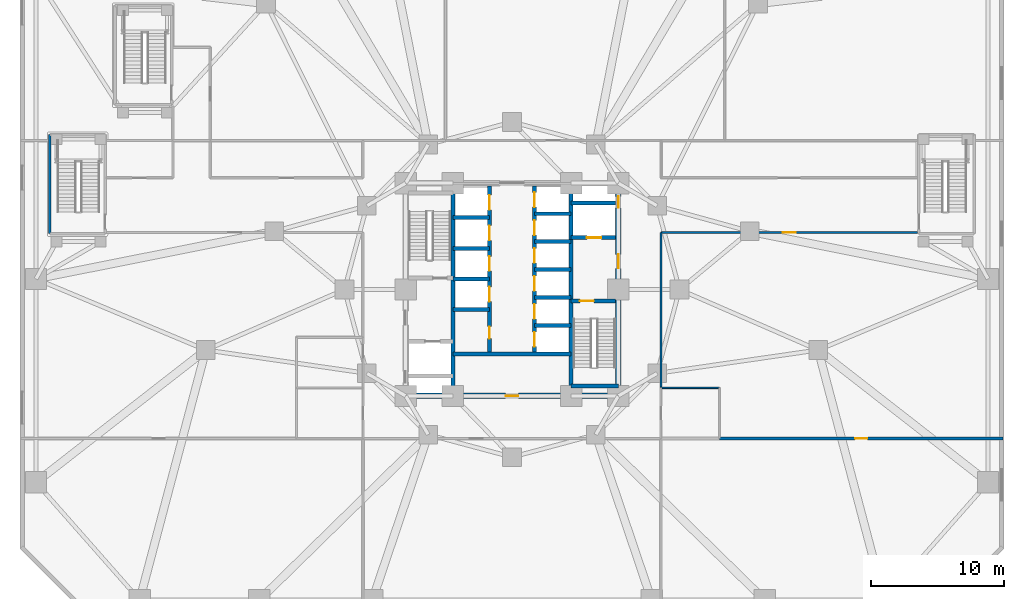
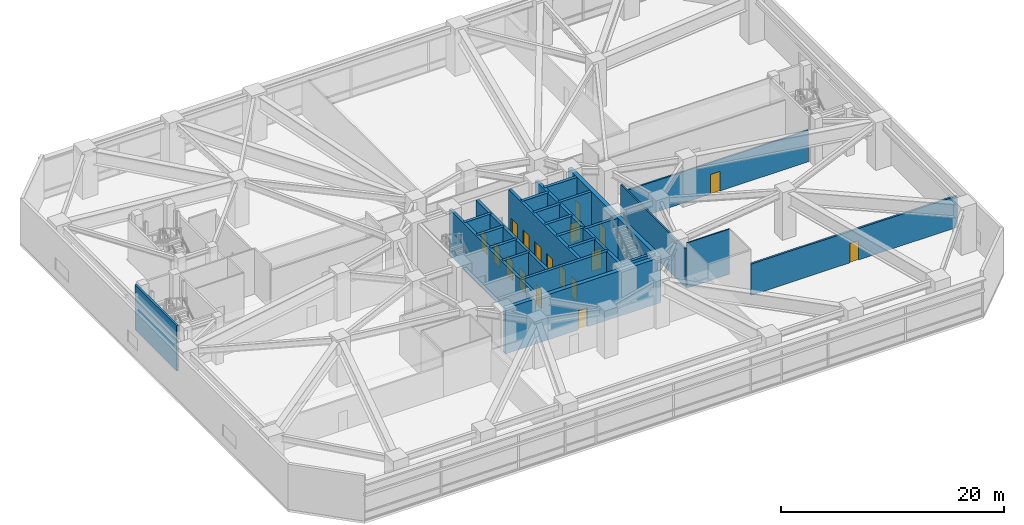
# One storey, part 16 of 27: 25 walls, 18 doors, 18 openings.
"""IFC4 building model written with IfcOpenShell, lengths in metres."""

from ifc_helpers import new_model, si_unit, direction, frame, frame_2d, origin, place, context, subcontext, project, spatial, rectangle, extrude, material, layer, layer_set, type_object, element, fill, save


model = new_model("IFC4")

# Units and contexts
model_context = context("Model", 3, precision=1e-05, world=origin(), true_north=direction((0.0, 1.0)))
body_context = subcontext(model_context, "Body", "Model", "MODEL_VIEW")
ifc_project = project(units=[si_unit("LENGTHUNIT", "METRE"), si_unit("AREAUNIT", "SQUARE_METRE"), si_unit("VOLUMEUNIT", "CUBIC_METRE"), si_unit("PLANEANGLEUNIT", "RADIAN"), si_unit("MASSUNIT", "GRAM", prefix="KILO")], contexts=[model_context])

# Site, building, storey
site_placement = place(None, origin())
site = spatial("IfcSite", under=ifc_project, at=site_placement, CompositionType="ELEMENT")
building_placement = place(site_placement, origin())
building = spatial("IfcBuilding", under=site, at=building_placement, Name="Terralouvre Media Tower", CompositionType="ELEMENT")
storey_placement = place(building_placement, frame((0.0, 0.0, 5.199951171875)))
storey = spatial("IfcBuildingStorey", under=building, at=storey_placement, Name="L01", CompositionType="ELEMENT", Elevation=5.199951171875)

# Walls
ifc_material_1 = material(Name="Concrete C50/60", Category="concrete")
ifc_layer_1 = layer(ifc_material_1, 0.300048828125, Name="Core Internal Shaft Wall CW-300")
ifc_layer_set_1 = layer_set([ifc_layer_1], Name="Concrete C50/60")
wall_type_1 = type_object("IfcWallType", Name="Core Internal Shaft Wall CW-300", PredefinedType="SHEAR", material=ifc_layer_set_1)
for number, where, z_axis, x_axis, name in (
    (1, (-4.449951171875, -7.7900390625, 0.0), (0.0, 0.0, 1.0), (0.0, 1.0, 0.0), "L01 Core Shaft Wall SPW"),
    (2, (4.449951171875, -7.7900390625, 0.0), (0.0, 0.0, 1.0), (0.0, 1.0, 0.0), "L01 Core Shaft Wall SPE"),
):
    element("IfcWall", number, at=place(storey_placement, frame(where, z_axis=z_axis, x_axis=x_axis)), inside=storey, type_object=wall_type_1, Name=name, PredefinedType="SHEAR", context=body_context, shape_type="SweptSolid", body=[
        extrude(rectangle(XDim=15.580078125, YDim=0.300048828125, at=frame_2d((7.7900390625, 0.0))), origin(), (0.0, 0.0, 1.0), 4.949951171875),
    ])

# Wall, opening, door
wall_1_placement = place(storey_placement, frame((4.449951171875, -0.85009765625, 0.0), z_axis=(0.0, 0.0, 1.0), x_axis=(1.0, 0.0, 0.0)))
wall_1 = element("IfcWall", 3, at=wall_1_placement, inside=storey, type_object=wall_type_1, Name="L01 Core Shaft Wall ST2D", PredefinedType="SHEAR", context=body_context, shape_type="SweptSolid", body=[
    extrude(rectangle(XDim=3.340087890625, YDim=0.300048828125, at=frame_2d((1.669921875, 0.0))), origin(), (0.0, 0.0, 1.0), 4.949951171875),
])
opening_1_placement = place(wall_1_placement, frame((0.64990234375, 0.0, 0.0)))
opening_1 = element("IfcOpeningElement", 4, at=opening_1_placement, cuts=wall_1, Name="Opening FD-01-105X215", PredefinedType="OPENING", context=body_context, shape_type="SweptSolid", body=[
    extrude(rectangle(XDim=1.050048828125, YDim=2.14990234375, at=frame_2d((0.52490234375, 1.074951171875))), frame((0.0, 0.159912109375, 0.0), z_axis=(0.0, -1.0, 0.0), x_axis=(1.0, 0.0, 0.0)), (0.0, 0.0, 1.0), 0.320068359375),
])
ifc_material_2 = material(Name="Galvanised steel fire-resisting leaf", Category="steel")
door_type_1 = type_object("IfcDoorType", Name="Stair and Firefighting Lobby Fire Door FD-01 (1050x2150)", OperationType="NOTDEFINED", PredefinedType="DOOR", material=ifc_material_2)
door_1_placement = place(opening_1_placement, origin())
door_1 = element("IfcDoor", 5, at=door_1_placement, inside=storey, type_object=door_type_1, Name="L01 ST-02 Exit Stair Door", OperationType="SINGLE_SWING_RIGHT", OverallHeight=2.14990234375, OverallWidth=1.050048828125, PredefinedType="DOOR", context=body_context, shape_type="SweptSolid", body=[
    extrude(rectangle(XDim=1.050048828125, YDim=2.14990234375, at=frame_2d((0.52490234375, 1.074951171875))), frame((0.0, 0.02490234375, 0.0), z_axis=(0.0, -1.0, 0.0), x_axis=(1.0, 0.0, 0.0)), (0.0, 0.0, 1.0), 0.050048828125),
])
fill(opening_1, door_1)

# Wall
wall_2_placement = place(storey_placement, frame((4.449951171875, -7.260009765625, 0.0), z_axis=(0.0, 0.0, 1.0), x_axis=(1.0, 0.0, 0.0)))
element("IfcWall", 6, at=wall_2_placement, inside=storey, type_object=wall_type_1, Name="L01 Core Shaft Wall ST2F", PredefinedType="SHEAR", context=body_context, shape_type="SweptSolid", body=[
    extrude(rectangle(XDim=3.550048828125, YDim=0.300048828125, at=frame_2d((1.77490234375, 0.0))), origin(), (0.0, 0.0, 1.0), 4.949951171875),
])

# Wall, opening, door
wall_3_placement = place(storey_placement, frame((4.449951171875, 3.89990234375, 0.0), z_axis=(0.0, 0.0, 1.0), x_axis=(1.0, 0.0, 0.0)))
wall_3 = element("IfcWall", 7, at=wall_3_placement, inside=storey, type_object=wall_type_1, Name="L01 Core Shaft Wall FF2S", PredefinedType="SHEAR", context=body_context, shape_type="SweptSolid", body=[
    extrude(rectangle(XDim=3.340087890625, YDim=0.300048828125, at=frame_2d((1.669921875, 0.0))), origin(), (0.0, 0.0, 1.0), 4.949951171875),
])
opening_2_placement = place(wall_3_placement, frame((1.179931640625, 0.0, 0.0)))
opening_2 = element("IfcOpeningElement", 8, at=opening_2_placement, cuts=wall_3, Name="Opening LD-FF", PredefinedType="OPENING", context=body_context, shape_type="SweptSolid", body=[
    extrude(rectangle(XDim=1.10009765625, YDim=2.10009765625, at=frame_2d((0.550048828125, 1.050048828125))), frame((0.0, 0.159912109375, 0.0), z_axis=(0.0, -1.0, 0.0), x_axis=(1.0, 0.0, 0.0)), (0.0, 0.0, 1.0), 0.320068359375),
])
ifc_material_3 = material(Name="Stainless steel 316 handrail and balustrade", Category="steel")
door_type_2 = type_object("IfcDoorType", Name="Firefighting Lift Sliding Landing Door LD-FF", OperationType="SLIDING_TO_LEFT", PredefinedType="DOOR", material=ifc_material_3)
door_2_placement = place(opening_2_placement, origin())
door_2 = element("IfcDoor", 9, at=door_2_placement, inside=storey, type_object=door_type_2, Name="L01 Firefighting Lift FFL-02 Landing Door", OperationType="SLIDING_TO_LEFT", OverallHeight=2.10009765625, OverallWidth=1.10009765625, PredefinedType="DOOR", context=body_context, shape_type="SweptSolid", body=[
    extrude(rectangle(XDim=1.10009765625, YDim=2.10009765625, at=frame_2d((0.550048828125, 1.050048828125))), frame((0.0, 0.02490234375, 0.0), z_axis=(0.0, -1.0, 0.0), x_axis=(1.0, 0.0, 0.0)), (0.0, 0.0, 1.0), 0.050048828125),
])
fill(opening_2, door_2)

# Walls
wall_4_placement = place(storey_placement, frame((4.449951171875, 6.5, 0.0), z_axis=(0.0, 0.0, 1.0), x_axis=(1.0, 0.0, 0.0)))
element("IfcWall", 10, at=wall_4_placement, inside=storey, type_object=wall_type_1, Name="L01 Core Shaft Wall FF2N", PredefinedType="SHEAR", context=body_context, shape_type="SweptSolid", body=[
    extrude(rectangle(XDim=3.340087890625, YDim=0.300048828125, at=frame_2d((1.669921875, 0.0))), origin(), (0.0, 0.0, 1.0), 4.949951171875),
])
wall_5_placement = place(storey_placement, frame((-4.449951171875, -4.85009765625, 0.0), z_axis=(0.0, 0.0, 1.0), x_axis=(1.0, 0.0, 0.0)))
element("IfcWall", 11, at=wall_5_placement, inside=storey, type_object=wall_type_1, Name="L01 Core Shaft Wall CSBN", PredefinedType="SHEAR", context=body_context, shape_type="SweptSolid", body=[
    extrude(rectangle(XDim=8.89990234375, YDim=0.300048828125, at=frame_2d((4.449951171875, 0.0))), origin(), (0.0, 0.0, 1.0), 4.949951171875),
])

# Wall, openings, doors
wall_6_placement = place(storey_placement, frame((-1.679931640625, -4.85009765625, 0.0), z_axis=(0.0, 0.0, 1.0), x_axis=(0.0, 1.0, 0.0)))
wall_6 = element("IfcWall", 12, at=wall_6_placement, inside=storey, type_object=wall_type_1, Name="L01 Core Shaft Wall LBW", PredefinedType="SHEAR", context=body_context, shape_type="SweptSolid", body=[
    extrude(rectangle(XDim=12.64013671875, YDim=0.300048828125, at=frame_2d((6.320068359375, 0.0))), origin(), (0.0, 0.0, 1.0), 4.949951171875),
])
opening_3_placement = place(wall_6_placement, frame((3.949951171875, 0.0, 0.0)))
opening_3 = element("IfcOpeningElement", 13, at=opening_3_placement, cuts=wall_6, Name="Opening LD-PL", PredefinedType="OPENING", context=body_context, shape_type="SweptSolid", body=[
    extrude(rectangle(XDim=1.10009765625, YDim=2.10009765625, at=frame_2d((0.550048828125, 1.050048828125))), frame((0.0, 0.159912109375, 0.0), z_axis=(0.0, -1.0, 0.0), x_axis=(1.0, 0.0, 0.0)), (0.0, 0.0, 1.0), 0.320068359375),
])
opening_4_placement = place(wall_6_placement, frame((6.25, 0.0, 0.0)))
opening_4 = element("IfcOpeningElement", 14, at=opening_4_placement, cuts=wall_6, Name="Opening LD-PL", PredefinedType="OPENING", context=body_context, shape_type="SweptSolid", body=[
    extrude(rectangle(XDim=1.10009765625, YDim=2.10009765625, at=frame_2d((0.550048828125, 1.050048828125))), frame((0.0, 0.159912109375, 0.0), z_axis=(0.0, -1.0, 0.0), x_axis=(1.0, 0.0, 0.0)), (0.0, 0.0, 1.0), 0.320068359375),
])
opening_5_placement = place(wall_6_placement, frame((8.550048828125, 0.0, 0.0)))
opening_5 = element("IfcOpeningElement", 15, at=opening_5_placement, cuts=wall_6, Name="Opening LD-PL", PredefinedType="OPENING", context=body_context, shape_type="SweptSolid", body=[
    extrude(rectangle(XDim=1.10009765625, YDim=2.10009765625, at=frame_2d((0.550048828125, 1.050048828125))), frame((0.0, 0.159912109375, 0.0), z_axis=(0.0, -1.0, 0.0), x_axis=(1.0, 0.0, 0.0)), (0.0, 0.0, 1.0), 0.320068359375),
])
opening_6_placement = place(wall_6_placement, frame((10.85009765625, 0.0, 0.0)))
opening_6 = element("IfcOpeningElement", 16, at=opening_6_placement, cuts=wall_6, Name="Opening LD-PL", PredefinedType="OPENING", context=body_context, shape_type="SweptSolid", body=[
    extrude(rectangle(XDim=1.10009765625, YDim=2.10009765625, at=frame_2d((0.550048828125, 1.050048828125))), frame((0.0, 0.159912109375, 0.0), z_axis=(0.0, -1.0, 0.0), x_axis=(1.0, 0.0, 0.0)), (0.0, 0.0, 1.0), 0.320068359375),
])
opening_7_placement = place(wall_6_placement, frame((1.14990234375, 0.0, 0.0)))
opening_7 = element("IfcOpeningElement", 17, at=opening_7_placement, cuts=wall_6, Name="Opening FD-05-92X210", PredefinedType="OPENING", context=body_context, shape_type="SweptSolid", body=[
    extrude(rectangle(XDim=0.919921875, YDim=2.10009765625, at=frame_2d((0.4599609375, 1.050048828125))), frame((0.0, 0.159912109375, 0.0), z_axis=(0.0, -1.0, 0.0), x_axis=(1.0, 0.0, 0.0)), (0.0, 0.0, 1.0), 0.320068359375),
])
ifc_material_4 = material(Name="Galvanised steel fire-resisting leaf", Category="steel")
door_type_3 = type_object("IfcDoorType", Name="Core Accessible Closet Fire Door FD-05 (920x2100)", OperationType="NOTDEFINED", PredefinedType="DOOR", material=ifc_material_4)
door_3_placement = place(opening_7_placement, origin())
door_3 = element("IfcDoor", 18, at=door_3_placement, inside=storey, type_object=door_type_3, Name="L01 Core Cleaners Closet Door", OperationType="SINGLE_SWING_LEFT", OverallHeight=2.10009765625, OverallWidth=0.919921875, PredefinedType="DOOR", context=body_context, shape_type="SweptSolid", body=[
    extrude(rectangle(XDim=0.919921875, YDim=2.10009765625, at=frame_2d((0.4599609375, 1.050048828125))), frame((0.0, 0.02490234375, 0.0), z_axis=(0.0, -1.0, 0.0), x_axis=(1.0, 0.0, 0.0)), (0.0, 0.0, 1.0), 0.050048828125),
])
fill(opening_7, door_3)
ifc_material_5 = material(Name="Stainless steel 316 handrail and balustrade", Category="steel")
door_type_4 = type_object("IfcDoorType", Name="Passenger Lift Sliding Landing Door LD-PL", OperationType="SLIDING_TO_LEFT", PredefinedType="DOOR", material=ifc_material_5)
door_4_placement = place(opening_3_placement, origin())
door_4 = element("IfcDoor", 19, at=door_4_placement, inside=storey, type_object=door_type_4, Name="L01 Low-Rise Lift PL-L1 Landing Door", OperationType="SLIDING_TO_LEFT", OverallHeight=2.10009765625, OverallWidth=1.10009765625, PredefinedType="DOOR", context=body_context, shape_type="SweptSolid", body=[
    extrude(rectangle(XDim=1.10009765625, YDim=2.10009765625, at=frame_2d((0.550048828125, 1.050048828125))), frame((0.0, 0.02490234375, 0.0), z_axis=(0.0, -1.0, 0.0), x_axis=(1.0, 0.0, 0.0)), (0.0, 0.0, 1.0), 0.050048828125),
])
fill(opening_3, door_4)
door_5_placement = place(opening_4_placement, origin())
door_5 = element("IfcDoor", 20, at=door_5_placement, inside=storey, type_object=door_type_4, Name="L01 Low-Rise Lift PL-L2 Landing Door", OperationType="SLIDING_TO_LEFT", OverallHeight=2.10009765625, OverallWidth=1.10009765625, PredefinedType="DOOR", context=body_context, shape_type="SweptSolid", body=[
    extrude(rectangle(XDim=1.10009765625, YDim=2.10009765625, at=frame_2d((0.550048828125, 1.050048828125))), frame((0.0, 0.02490234375, 0.0), z_axis=(0.0, -1.0, 0.0), x_axis=(1.0, 0.0, 0.0)), (0.0, 0.0, 1.0), 0.050048828125),
])
fill(opening_4, door_5)
door_6_placement = place(opening_5_placement, origin())
door_6 = element("IfcDoor", 21, at=door_6_placement, inside=storey, type_object=door_type_4, Name="L01 Low-Rise Lift PL-L3 Landing Door", OperationType="SLIDING_TO_LEFT", OverallHeight=2.10009765625, OverallWidth=1.10009765625, PredefinedType="DOOR", context=body_context, shape_type="SweptSolid", body=[
    extrude(rectangle(XDim=1.10009765625, YDim=2.10009765625, at=frame_2d((0.550048828125, 1.050048828125))), frame((0.0, 0.02490234375, 0.0), z_axis=(0.0, -1.0, 0.0), x_axis=(1.0, 0.0, 0.0)), (0.0, 0.0, 1.0), 0.050048828125),
])
fill(opening_5, door_6)
door_7_placement = place(opening_6_placement, origin())
door_7 = element("IfcDoor", 22, at=door_7_placement, inside=storey, type_object=door_type_4, Name="L01 Low-Rise Lift PL-L4 Landing Door", OperationType="SLIDING_TO_LEFT", OverallHeight=2.10009765625, OverallWidth=1.10009765625, PredefinedType="DOOR", context=body_context, shape_type="SweptSolid", body=[
    extrude(rectangle(XDim=1.10009765625, YDim=2.10009765625, at=frame_2d((0.550048828125, 1.050048828125))), frame((0.0, 0.02490234375, 0.0), z_axis=(0.0, -1.0, 0.0), x_axis=(1.0, 0.0, 0.0)), (0.0, 0.0, 1.0), 0.050048828125),
])
fill(opening_6, door_7)

wall_7_placement = place(storey_placement, frame((1.679931640625, -4.85009765625, 0.0), z_axis=(0.0, 0.0, 1.0), x_axis=(0.0, 1.0, 0.0)))
wall_7 = element("IfcWall", 23, at=wall_7_placement, inside=storey, type_object=wall_type_1, Name="L01 Core Shaft Wall LBE", PredefinedType="SHEAR", context=body_context, shape_type="SweptSolid", body=[
    extrude(rectangle(XDim=12.64013671875, YDim=0.300048828125, at=frame_2d((6.320068359375, 0.0))), origin(), (0.0, 0.0, 1.0), 4.949951171875),
])
opening_8_placement = place(wall_7_placement, frame((0.550048828125, 0.0, 0.0)))
opening_8 = element("IfcOpeningElement", 24, at=opening_8_placement, cuts=wall_7, Name="Opening LD-PL", PredefinedType="OPENING", context=body_context, shape_type="SweptSolid", body=[
    extrude(rectangle(XDim=1.10009765625, YDim=2.10009765625, at=frame_2d((0.550048828125, 1.050048828125))), frame((0.0, 0.159912109375, 0.0), z_axis=(0.0, -1.0, 0.0), x_axis=(1.0, 0.0, 0.0)), (0.0, 0.0, 1.0), 0.320068359375),
])
opening_9_placement = place(wall_7_placement, frame((2.64990234375, 0.0, 0.0)))
opening_9 = element("IfcOpeningElement", 25, at=opening_9_placement, cuts=wall_7, Name="Opening LD-PL", PredefinedType="OPENING", context=body_context, shape_type="SweptSolid", body=[
    extrude(rectangle(XDim=1.10009765625, YDim=2.10009765625, at=frame_2d((0.550048828125, 1.050048828125))), frame((0.0, 0.159912109375, 0.0), z_axis=(0.0, -1.0, 0.0), x_axis=(1.0, 0.0, 0.0)), (0.0, 0.0, 1.0), 0.320068359375),
])
opening_10_placement = place(wall_7_placement, frame((4.75, 0.0, 0.0)))
opening_10 = element("IfcOpeningElement", 26, at=opening_10_placement, cuts=wall_7, Name="Opening LD-PL", PredefinedType="OPENING", context=body_context, shape_type="SweptSolid", body=[
    extrude(rectangle(XDim=1.10009765625, YDim=2.10009765625, at=frame_2d((0.550048828125, 1.050048828125))), frame((0.0, 0.159912109375, 0.0), z_axis=(0.0, -1.0, 0.0), x_axis=(1.0, 0.0, 0.0)), (0.0, 0.0, 1.0), 0.320068359375),
])
opening_11_placement = place(wall_7_placement, frame((6.85009765625, 0.0, 0.0)))
opening_11 = element("IfcOpeningElement", 27, at=opening_11_placement, cuts=wall_7, Name="Opening LD-PL", PredefinedType="OPENING", context=body_context, shape_type="SweptSolid", body=[
    extrude(rectangle(XDim=1.10009765625, YDim=2.10009765625, at=frame_2d((0.550048828125, 1.050048828125))), frame((0.0, 0.159912109375, 0.0), z_axis=(0.0, -1.0, 0.0), x_axis=(1.0, 0.0, 0.0)), (0.0, 0.0, 1.0), 0.320068359375),
])
opening_12_placement = place(wall_7_placement, frame((8.949951171875, 0.0, 0.0)))
opening_12 = element("IfcOpeningElement", 28, at=opening_12_placement, cuts=wall_7, Name="Opening LD-PL", PredefinedType="OPENING", context=body_context, shape_type="SweptSolid", body=[
    extrude(rectangle(XDim=1.10009765625, YDim=2.10009765625, at=frame_2d((0.550048828125, 1.050048828125))), frame((0.0, 0.159912109375, 0.0), z_axis=(0.0, -1.0, 0.0), x_axis=(1.0, 0.0, 0.0)), (0.0, 0.0, 1.0), 0.320068359375),
])
opening_13_placement = place(wall_7_placement, frame((11.050048828125, 0.0, 0.0)))
opening_13 = element("IfcOpeningElement", 29, at=opening_13_placement, cuts=wall_7, Name="Opening LD-PL", PredefinedType="OPENING", context=body_context, shape_type="SweptSolid", body=[
    extrude(rectangle(XDim=1.10009765625, YDim=2.10009765625, at=frame_2d((0.550048828125, 1.050048828125))), frame((0.0, 0.159912109375, 0.0), z_axis=(0.0, -1.0, 0.0), x_axis=(1.0, 0.0, 0.0)), (0.0, 0.0, 1.0), 0.320068359375),
])
door_8_placement = place(opening_8_placement, origin())
door_8 = element("IfcDoor", 30, at=door_8_placement, inside=storey, type_object=door_type_4, Name="L01 High-Rise Lift PL-H1 Landing Door", OperationType="SLIDING_TO_LEFT", OverallHeight=2.10009765625, OverallWidth=1.10009765625, PredefinedType="DOOR", context=body_context, shape_type="SweptSolid", body=[
    extrude(rectangle(XDim=1.10009765625, YDim=2.10009765625, at=frame_2d((0.550048828125, 1.050048828125))), frame((0.0, 0.02490234375, 0.0), z_axis=(0.0, -1.0, 0.0), x_axis=(1.0, 0.0, 0.0)), (0.0, 0.0, 1.0), 0.050048828125),
])
fill(opening_8, door_8)
door_9_placement = place(opening_9_placement, origin())
door_9 = element("IfcDoor", 31, at=door_9_placement, inside=storey, type_object=door_type_4, Name="L01 High-Rise Lift PL-H2 Landing Door", OperationType="SLIDING_TO_LEFT", OverallHeight=2.10009765625, OverallWidth=1.10009765625, PredefinedType="DOOR", context=body_context, shape_type="SweptSolid", body=[
    extrude(rectangle(XDim=1.10009765625, YDim=2.10009765625, at=frame_2d((0.550048828125, 1.050048828125))), frame((0.0, 0.02490234375, 0.0), z_axis=(0.0, -1.0, 0.0), x_axis=(1.0, 0.0, 0.0)), (0.0, 0.0, 1.0), 0.050048828125),
])
fill(opening_9, door_9)
door_10_placement = place(opening_10_placement, origin())
door_10 = element("IfcDoor", 32, at=door_10_placement, inside=storey, type_object=door_type_4, Name="L01 High-Rise Lift PL-H3 Landing Door", OperationType="SLIDING_TO_LEFT", OverallHeight=2.10009765625, OverallWidth=1.10009765625, PredefinedType="DOOR", context=body_context, shape_type="SweptSolid", body=[
    extrude(rectangle(XDim=1.10009765625, YDim=2.10009765625, at=frame_2d((0.550048828125, 1.050048828125))), frame((0.0, 0.02490234375, 0.0), z_axis=(0.0, -1.0, 0.0), x_axis=(1.0, 0.0, 0.0)), (0.0, 0.0, 1.0), 0.050048828125),
])
fill(opening_10, door_10)
door_11_placement = place(opening_11_placement, origin())
door_11 = element("IfcDoor", 33, at=door_11_placement, inside=storey, type_object=door_type_4, Name="L01 Mid-Rise Lift PL-M1 Landing Door", OperationType="SLIDING_TO_LEFT", OverallHeight=2.10009765625, OverallWidth=1.10009765625, PredefinedType="DOOR", context=body_context, shape_type="SweptSolid", body=[
    extrude(rectangle(XDim=1.10009765625, YDim=2.10009765625, at=frame_2d((0.550048828125, 1.050048828125))), frame((0.0, 0.02490234375, 0.0), z_axis=(0.0, -1.0, 0.0), x_axis=(1.0, 0.0, 0.0)), (0.0, 0.0, 1.0), 0.050048828125),
])
fill(opening_11, door_11)
door_12_placement = place(opening_12_placement, origin())
door_12 = element("IfcDoor", 34, at=door_12_placement, inside=storey, type_object=door_type_4, Name="L01 Mid-Rise Lift PL-M2 Landing Door", OperationType="SLIDING_TO_LEFT", OverallHeight=2.10009765625, OverallWidth=1.10009765625, PredefinedType="DOOR", context=body_context, shape_type="SweptSolid", body=[
    extrude(rectangle(XDim=1.10009765625, YDim=2.10009765625, at=frame_2d((0.550048828125, 1.050048828125))), frame((0.0, 0.02490234375, 0.0), z_axis=(0.0, -1.0, 0.0), x_axis=(1.0, 0.0, 0.0)), (0.0, 0.0, 1.0), 0.050048828125),
])
fill(opening_12, door_12)
door_13_placement = place(opening_13_placement, origin())
door_13 = element("IfcDoor", 35, at=door_13_placement, inside=storey, type_object=door_type_4, Name="L01 Mid-Rise Lift PL-M3 Landing Door", OperationType="SLIDING_TO_LEFT", OverallHeight=2.10009765625, OverallWidth=1.10009765625, PredefinedType="DOOR", context=body_context, shape_type="SweptSolid", body=[
    extrude(rectangle(XDim=1.10009765625, YDim=2.10009765625, at=frame_2d((0.550048828125, 1.050048828125))), frame((0.0, 0.02490234375, 0.0), z_axis=(0.0, -1.0, 0.0), x_axis=(1.0, 0.0, 0.0)), (0.0, 0.0, 1.0), 0.050048828125),
])
fill(opening_13, door_13)

# Walls
for number, where, z_axis, x_axis, name in (
    (36, (-4.449951171875, -1.5, 0.0), (0.0, 0.0, 1.0), (1.0, 0.0, 0.0), "L01 Core Shaft Wall PLLD0"),
    (37, (-4.449951171875, 0.800048828125, 0.0), (0.0, 0.0, 1.0), (1.0, 0.0, 0.0), "L01 Core Shaft Wall PLLD1"),
    (38, (-4.449951171875, 3.10009765625, 0.0), (0.0, 0.0, 1.0), (1.0, 0.0, 0.0), "L01 Core Shaft Wall PLLD2"),
    (39, (-4.449951171875, 5.39990234375, 0.0), (0.0, 0.0, 1.0), (1.0, 0.0, 0.0), "L01 Core Shaft Wall PLLD3"),
    (40, (1.679931640625, 1.5, 0.0), (0.0, 0.0, 1.0), (1.0, 0.0, 0.0), "L01 Core Shaft Wall PLMD0"),
    (41, (1.679931640625, 3.60009765625, 0.0), (0.0, 0.0, 1.0), (1.0, 0.0, 0.0), "L01 Core Shaft Wall PLMD1"),
    (42, (1.679931640625, 5.699951171875, 0.0), (0.0, 0.0, 1.0), (1.0, 0.0, 0.0), "L01 Core Shaft Wall PLMD2"),
    (43, (1.679931640625, -2.699951171875, 0.0), (0.0, 0.0, 1.0), (1.0, 0.0, 0.0), "L01 Core Shaft Wall PLHD1"),
    (44, (1.679931640625, -0.60009765625, 0.0), (0.0, 0.0, 1.0), (1.0, 0.0, 0.0), "L01 Core Shaft Wall PLHD2"),
):
    element("IfcWall", number, at=place(storey_placement, frame(where, z_axis=z_axis, x_axis=x_axis)), inside=storey, type_object=wall_type_1, Name=name, PredefinedType="SHEAR", context=body_context, shape_type="SweptSolid", body=[
        extrude(rectangle(XDim=2.77001953125, YDim=0.300048828125, at=frame_2d((1.385009765625, 0.0))), origin(), (0.0, 0.0, 1.0), 4.949951171875),
    ])

# Wall, openings, doors
ifc_material_6 = material(Name="Concrete C60/75", Category="concrete")
ifc_layer_2 = layer(ifc_material_6, 0.419921875, Name="Core Reinforced Concrete Shear Wall CW-420")
ifc_layer_set_2 = layer_set([ifc_layer_2], Name="Concrete C60/75")
wall_type_2 = type_object("IfcWallType", Name="Core Reinforced Concrete Shear Wall CW-420", PredefinedType="SHEAR", material=ifc_layer_set_2)
wall_8_placement = place(storey_placement, frame((8.0, -8.0, 0.0), z_axis=(0.0, 0.0, 1.0), x_axis=(0.0, 1.0, 0.0)))
wall_8 = element("IfcWall", 45, at=wall_8_placement, inside=storey, type_object=wall_type_2, Name="L01 E Core Shear Wall", PredefinedType="SHEAR", context=body_context, shape_type="SweptSolid", body=[
    extrude(rectangle(XDim=16.0, YDim=0.419921875, at=frame_2d((8.0, 0.0))), origin(), (0.0, 0.0, 1.0), 4.949951171875),
])
opening_14_placement = place(wall_8_placement, frame((9.60009765625, 0.0, 0.0)))
opening_14 = element("IfcOpeningElement", 46, at=opening_14_placement, cuts=wall_8, Name="Opening FD-01-105X215", PredefinedType="OPENING", context=body_context, shape_type="SweptSolid", body=[
    extrude(rectangle(XDim=1.050048828125, YDim=2.14990234375, at=frame_2d((0.52490234375, 1.074951171875))), frame((0.0, 0.219970703125, 0.0), z_axis=(0.0, -1.0, 0.0), x_axis=(1.0, 0.0, 0.0)), (0.0, 0.0, 1.0), 0.43994140625),
])
opening_15_placement = place(wall_8_placement, frame((14.148193359375, 0.0, 0.0)))
opening_15 = element("IfcOpeningElement", 47, at=opening_15_placement, cuts=wall_8, Name="Opening TD-R1", PredefinedType="OPENING", context=body_context, shape_type="SweptSolid", body=[
    extrude(rectangle(XDim=0.85009765625, YDim=2.02001953125, at=frame_2d((0.425048828125, 1.010009765625))), frame((0.0, 0.219970703125, 0.0), z_axis=(0.0, -1.0, 0.0), x_axis=(1.0, 0.0, 0.0)), (0.0, 0.0, 1.0), 0.43994140625),
])
ifc_material_7 = material(Name="Galvanised steel fire-resisting leaf", Category="steel")
door_type_5 = type_object("IfcDoorType", Name="Riser Inspection Access Trapdoor TD-R1", OperationType="NOTDEFINED", PredefinedType="TRAPDOOR", material=ifc_material_7)
door_14_placement = place(opening_15_placement, origin())
door_14 = element("IfcDoor", 48, at=door_14_placement, inside=storey, type_object=door_type_5, Name="L01 East Comms Riser Access Trapdoor", OperationType="SINGLE_SWING_RIGHT", OverallHeight=2.02001953125, OverallWidth=0.85009765625, PredefinedType="TRAPDOOR", context=body_context, shape_type="SweptSolid", body=[
    extrude(rectangle(XDim=0.85009765625, YDim=2.02001953125, at=frame_2d((0.425048828125, 1.010009765625))), frame((0.0, 0.02490234375, 0.0), z_axis=(0.0, -1.0, 0.0), x_axis=(1.0, 0.0, 0.0)), (0.0, 0.0, 1.0), 0.050048828125),
])
fill(opening_15, door_14)
door_15_placement = place(opening_14_placement, origin())
door_15 = element("IfcDoor", 49, at=door_15_placement, inside=storey, type_object=door_type_1, Name="L01 East Firefighting Lobby Entry Door", OperationType="SINGLE_SWING_LEFT", OverallHeight=2.14990234375, OverallWidth=1.050048828125, PredefinedType="DOOR", context=body_context, shape_type="SweptSolid", body=[
    extrude(rectangle(XDim=1.050048828125, YDim=2.14990234375, at=frame_2d((0.52490234375, 1.074951171875))), frame((0.0, 0.02490234375, 0.0), z_axis=(0.0, -1.0, 0.0), x_axis=(1.0, 0.0, 0.0)), (0.0, 0.0, 1.0), 0.050048828125),
])
fill(opening_14, door_15)

# Wall, opening, door
wall_9_placement = place(storey_placement, frame((-8.0, -8.0, 0.0), z_axis=(0.0, 0.0, 1.0), x_axis=(1.0, 0.0, 0.0)))
wall_9 = element("IfcWall", 50, at=wall_9_placement, inside=storey, type_object=wall_type_2, Name="L01 S Core Shear Wall", PredefinedType="SHEAR", context=body_context, shape_type="SweptSolid", body=[
    extrude(rectangle(XDim=16.0, YDim=0.419921875, at=frame_2d((8.0, 0.0))), origin(), (0.0, 0.0, 1.0), 4.949951171875),
])
opening_16_placement = place(wall_9_placement, frame((7.52001953125, 0.0, 0.0)))
opening_16 = element("IfcOpeningElement", 51, at=opening_16_placement, cuts=wall_9, Name="Opening FD-02-95X210", PredefinedType="OPENING", context=body_context, shape_type="SweptSolid", body=[
    extrude(rectangle(XDim=0.949951171875, YDim=2.10009765625, at=frame_2d((0.47509765625, 1.050048828125))), frame((0.0, 0.219970703125, 0.0), z_axis=(0.0, -1.0, 0.0), x_axis=(1.0, 0.0, 0.0)), (0.0, 0.0, 1.0), 0.43994140625),
])
ifc_material_8 = material(Name="Galvanised steel fire-resisting leaf", Category="steel")
door_type_6 = type_object("IfcDoorType", Name="Plant and Riser Fire Door FD-02 (950x2100)", OperationType="NOTDEFINED", PredefinedType="DOOR", material=ifc_material_8)
door_16_placement = place(opening_16_placement, origin())
door_16 = element("IfcDoor", 52, at=door_16_placement, inside=storey, type_object=door_type_6, Name="L01 Core Switchgear Plant Door", OperationType="SINGLE_SWING_LEFT", OverallHeight=2.10009765625, OverallWidth=0.949951171875, PredefinedType="DOOR", context=body_context, shape_type="SweptSolid", body=[
    extrude(rectangle(XDim=0.949951171875, YDim=2.10009765625, at=frame_2d((0.47509765625, 1.050048828125))), frame((0.0, 0.02490234375, 0.0), z_axis=(0.0, -1.0, 0.0), x_axis=(1.0, 0.0, 0.0)), (0.0, 0.0, 1.0), 0.050048828125),
])
fill(opening_16, door_16)

# Wall
ifc_material_9 = material(Name="Fire-rated gypsum board drywall partition")
ifc_layer_3 = layer(ifc_material_9, 0.199951171875, Name="Fire-Rated Shaft and Lobby Partition FW-200")
ifc_layer_set_3 = layer_set([ifc_layer_3], Name="Fire-rated gypsum board drywall partition")
wall_type_3 = type_object("IfcWallType", Name="Fire-Rated Shaft and Lobby Partition FW-200", PredefinedType="SOLIDWALL", material=ifc_layer_set_3)
wall_10_placement = place(storey_placement, frame((-34.75, 11.64990234375, 0.0), z_axis=(0.0, 0.0, 1.0), x_axis=(0.0, -1.0, 0.0)))
element("IfcWall", 53, at=wall_10_placement, inside=storey, type_object=wall_type_3, Name="L01 ST03 Stair Shaft Wall W", PredefinedType="SOLIDWALL", context=body_context, shape_type="SweptSolid", body=[
    extrude(rectangle(XDim=7.449951171875, YDim=0.199951171875, at=frame_2d((3.72509765625, 0.0))), origin(), (0.0, 0.0, 1.0), 4.949951171875),
])

# Wall, opening, door
wall_11_placement = place(storey_placement, frame((36.919921875, -11.199951171875, 0.0), z_axis=(0.0, 0.0, 1.0), x_axis=(-1.0, 0.0, 0.0)))
wall_11 = element("IfcWall", 54, at=wall_11_placement, inside=storey, type_object=wall_type_3, Name="L01 Interior Partition 032", PredefinedType="SOLIDWALL", context=body_context, shape_type="SweptSolid", body=[
    extrude(rectangle(XDim=21.31982421875, YDim=0.199951171875, at=frame_2d((10.659912109375, 0.0))), origin(), (0.0, 0.0, 1.0), 3.43505859375),
])
opening_17_placement = place(wall_11_placement, frame((10.199951171875, 0.0, 0.0)))
opening_17 = element("IfcOpeningElement", 55, at=opening_17_placement, cuts=wall_11, Name="Opening FD-05-92X210", PredefinedType="OPENING", context=body_context, shape_type="SweptSolid", body=[
    extrude(rectangle(XDim=0.919921875, YDim=2.10009765625, at=frame_2d((0.4599609375, 1.050048828125))), frame((0.0, 0.10986328125, 0.0), z_axis=(0.0, -1.0, 0.0), x_axis=(1.0, 0.0, 0.0)), (0.0, 0.0, 1.0), 0.219970703125),
])
door_17_placement = place(opening_17_placement, origin())
door_17 = element("IfcDoor", 56, at=door_17_placement, inside=storey, type_object=door_type_3, Name="L01 L01 Acoustic Dimmer Switch Plant Room 4 Door", OperationType="SINGLE_SWING_RIGHT", OverallHeight=2.10009765625, OverallWidth=0.919921875, PredefinedType="DOOR", context=body_context, shape_type="SweptSolid", body=[
    extrude(rectangle(XDim=0.919921875, YDim=2.10009765625, at=frame_2d((0.4599609375, 1.050048828125))), frame((0.0, 0.02490234375, 0.0), z_axis=(0.0, -1.0, 0.0), x_axis=(1.0, 0.0, 0.0)), (0.0, 0.0, 1.0), 0.050048828125),
])
fill(opening_17, door_17)

# Walls
ifc_material_10 = material(Name="Fire-rated gypsum board drywall partition")
ifc_layer_4 = layer(ifc_material_10, 0.114990234375, Name="Restroom and Pantry Partition PT-115")
ifc_layer_set_4 = layer_set([ifc_layer_4], Name="Fire-rated gypsum board drywall partition")
wall_type_4 = type_object("IfcWallType", Name="Restroom and Pantry Partition PT-115", PredefinedType="PARTITIONING", material=ifc_layer_set_4)
wall_12_placement = place(storey_placement, frame((15.60009765625, -7.39990234375, 0.0), z_axis=(0.0, 0.0, 1.0), x_axis=(-1.0, 0.0, 0.0)))
element("IfcWall", 57, at=wall_12_placement, inside=storey, type_object=wall_type_4, Name="L01 Interior Partition 034", PredefinedType="PARTITIONING", context=body_context, shape_type="SweptSolid", body=[
    extrude(rectangle(XDim=4.400146484375, YDim=0.114990234375, at=frame_2d((2.2001953125, 0.0))), origin(), (0.0, 0.0, 1.0), 4.949951171875),
])
ifc_material_11 = material(Name="Fire-rated gypsum board drywall partition")
ifc_layer_5 = layer(ifc_material_11, 0.159912109375, Name="Studio Acoustic Rated Partition PT-160")
ifc_layer_set_5 = layer_set([ifc_layer_5], Name="Fire-rated gypsum board drywall partition")
wall_type_5 = type_object("IfcWallType", Name="Studio Acoustic Rated Partition PT-160", PredefinedType="PARTITIONING", material=ifc_layer_set_5)
wall_13_placement = place(storey_placement, frame((11.199951171875, -7.39990234375, 0.0), z_axis=(0.0, 0.0, 1.0), x_axis=(0.0, 1.0, 0.0)))
element("IfcWall", 58, at=wall_13_placement, inside=storey, type_object=wall_type_5, Name="L01 Interior Partition 008", PredefinedType="PARTITIONING", context=body_context, shape_type="SweptSolid", body=[
    extrude(rectangle(XDim=11.699951171875, YDim=0.159912109375, at=frame_2d((5.85009765625, 0.0))), origin(), (0.0, 0.0, 1.0), 4.235107421875),
])

# Wall, opening, door
wall_14_placement = place(storey_placement, frame((11.199951171875, 4.300048828125, 0.0), z_axis=(0.0, 0.0, 1.0), x_axis=(1.0, 0.0, 0.0)))
wall_14 = element("IfcWall", 59, at=wall_14_placement, inside=storey, type_object=wall_type_5, Name="L01 Interior Partition 009", PredefinedType="PARTITIONING", context=body_context, shape_type="SweptSolid", body=[
    extrude(rectangle(XDim=19.300048828125, YDim=0.159912109375, at=frame_2d((9.64990234375, 0.0))), origin(), (0.0, 0.0, 1.0), 3.43505859375),
])
opening_18_placement = place(wall_14_placement, frame((9.14990234375, 0.0, 0.0)))
opening_18 = element("IfcOpeningElement", 60, at=opening_18_placement, cuts=wall_14, Name="Opening ID-01-100X215", PredefinedType="OPENING", context=body_context, shape_type="SweptSolid", body=[
    extrude(rectangle(XDim=1.0, YDim=2.14990234375, at=frame_2d((0.5, 1.074951171875))), frame((0.0, 0.08984375, 0.0), z_axis=(0.0, -1.0, 0.0), x_axis=(1.0, 0.0, 0.0)), (0.0, 0.0, 1.0), 0.179931640625),
])
ifc_material_12 = material(Name="Engineered hardwood acoustic timber leaf", Category="wood")
door_type_7 = type_object("IfcDoorType", Name="Broadcast Studio Acoustic Single Door ID-01 (1000x2150)", OperationType="NOTDEFINED", PredefinedType="DOOR", material=ifc_material_12)
door_18_placement = place(opening_18_placement, origin())
door_18 = element("IfcDoor", 61, at=door_18_placement, inside=storey, type_object=door_type_7, Name="L01 L01 Studio Wardrobe and Makeup Store 5 Door", OperationType="SINGLE_SWING_LEFT", OverallHeight=2.14990234375, OverallWidth=1.0, PredefinedType="DOOR", context=body_context, shape_type="SweptSolid", body=[
    extrude(rectangle(XDim=1.0, YDim=2.14990234375, at=frame_2d((0.5, 1.074951171875))), frame((0.0, 0.02490234375, 0.0), z_axis=(0.0, -1.0, 0.0), x_axis=(1.0, 0.0, 0.0)), (0.0, 0.0, 1.0), 0.050048828125),
])
fill(opening_18, door_18)

save(model, "model.ifc")
